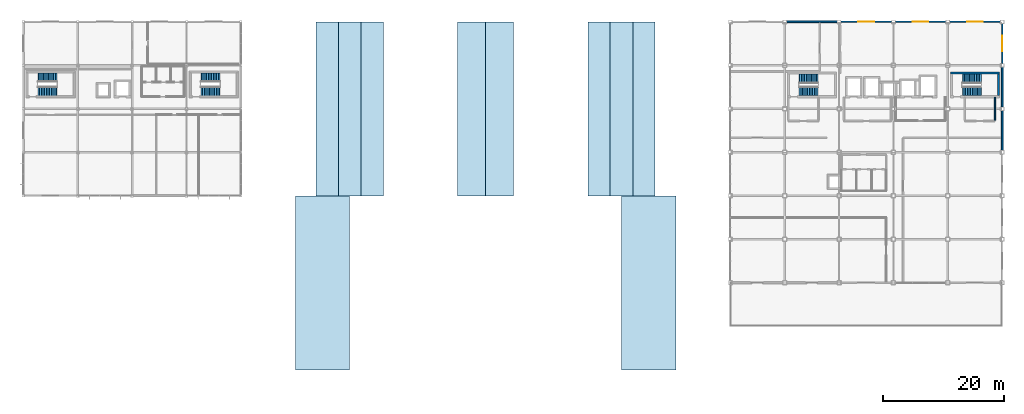
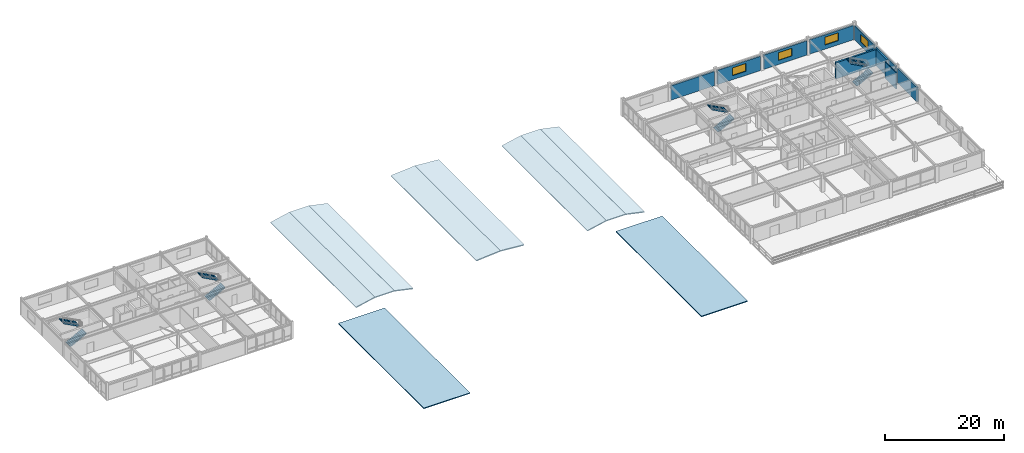
# One storey, part 30 of 34: 10 roofs, 10 walls, 8 stair flights, 4 windows, 4 openings, 4 elements without a shape of their own.
"""IFC4 building model written with IfcOpenShell, lengths in metres."""

from ifc_helpers import new_model, si_unit, direction, frame, frame_2d, origin, place, context, subcontext, project, spatial, polyline, rectangle, outline, extrude, material, layer, layer_set, type_object, element, fill, aggregate, save


model = new_model("IFC4")

# Units and contexts
model_context = context("Model", 3, precision=1e-05, world=origin(), true_north=direction((0.0, 1.0)))
body_context = subcontext(model_context, "Body", "Model", "MODEL_VIEW")
ifc_project = project(units=[si_unit("LENGTHUNIT", "METRE"), si_unit("AREAUNIT", "SQUARE_METRE"), si_unit("VOLUMEUNIT", "CUBIC_METRE"), si_unit("PLANEANGLEUNIT", "RADIAN"), si_unit("MASSUNIT", "GRAM", prefix="KILO")], contexts=[model_context])

# Site, building, storey
site_placement = place(None, origin())
site = spatial("IfcSite", under=ifc_project, at=site_placement, CompositionType="ELEMENT")
building_placement = place(site_placement, origin())
building = spatial("IfcBuilding", under=site, at=building_placement, Name="Kazanami Central Library", CompositionType="ELEMENT")
storey_placement = place(building_placement, frame((0.0, 0.0, 17.0)))
storey = spatial("IfcBuildingStorey", under=building, at=storey_placement, Name="L05", CompositionType="ELEMENT", Elevation=17.0)

# Wall
ifc_material_1 = material(Name="Concrete Fc36 (36 MPa)", Category="concrete")
ifc_layer_1 = layer(ifc_material_1, 0.199951171875, Name="Concrete Fc36 (36 MPa)")
ifc_material_2 = material(Name="Extruded Polystyrene XPS", Category="earth")
ifc_layer_2 = layer(ifc_material_2, 0.050048828125, Name="Extruded Polystyrene XPS")
ifc_material_3 = material(Name="Honed Inada Granite", Category="masonry")
ifc_layer_3 = layer(ifc_material_3, 0.030029296875, Name="Honed Inada Granite")
ifc_layer_set_1 = layer_set([ifc_layer_1, ifc_layer_2, ifc_layer_3], Name="Concrete Fc36 (36 MPa)")
wall_type_1 = type_object("IfcWallType", Name="WAL-EW-280", PredefinedType="STANDARD", material=ifc_layer_set_1)
wall_1_placement = place(storey_placement, frame((134.699951171875, 93.60009765625, 0.0), z_axis=(0.0, 0.0, 1.0), x_axis=(-1.0, 0.0, 0.0)))
element("IfcWall", 1, at=wall_1_placement, inside=storey, type_object=wall_type_1, Name="Exterior Facade Wall EW-280 L05 N-O-14", PredefinedType="STANDARD", context=body_context, shape_type="SweptSolid", body=[
    extrude(rectangle(XDim=8.39990234375, YDim=0.280029296875, at=frame_2d((4.199951171875, 0.0))), origin(), (0.0, 0.0, 1.0), 2.949951171875),
])

# Wall, opening, window
wall_2_placement = place(storey_placement, frame((143.699951171875, 93.60009765625, 0.0), z_axis=(0.0, 0.0, 1.0), x_axis=(-1.0, 0.0, 0.0)))
wall_2 = element("IfcWall", 2, at=wall_2_placement, inside=storey, type_object=wall_type_1, Name="Exterior Facade Wall EW-280 L05 N-O-15", PredefinedType="STANDARD", context=body_context, shape_type="SweptSolid", body=[
    extrude(rectangle(XDim=8.39990234375, YDim=0.280029296875, at=frame_2d((4.199951171875, 0.0))), origin(), (0.0, 0.0, 1.0), 2.949951171875),
])
opening_1_placement = place(wall_2_placement, frame((2.89990234375, 0.0, 0.85009765625)))
opening_1 = element("IfcOpeningElement", 3, at=opening_1_placement, cuts=wall_2, Name="Opening WN-13", PredefinedType="OPENING", context=body_context, shape_type="SweptSolid", body=[
    extrude(rectangle(XDim=2.60009765625, YDim=1.60009765625, at=frame_2d((1.300048828125, 0.800048828125))), frame((0.0, 0.15185546875, 0.0), z_axis=(0.0, -1.0, 0.0), x_axis=(1.0, 0.0, 0.0)), (0.0, 0.0, 1.0), 0.303955078125),
])
ifc_material_4 = material(Name="Low-E Insulated Triple Glass", Category="glass")
window_type = type_object("IfcWindowType", Name="WIN-WN-13", PartitioningType="DOUBLE_PANEL_VERTICAL", PredefinedType="WINDOW", material=ifc_material_4)
window_1_placement = place(opening_1_placement, origin())
window_1 = element("IfcWindow", 4, at=window_1_placement, inside=storey, type_object=window_type, Name="Facade Window WN-13 L05 N-O-15", OverallHeight=1.60009765625, OverallWidth=2.60009765625, PartitioningType="DOUBLE_PANEL_VERTICAL", PredefinedType="WINDOW", context=body_context, shape_type="SweptSolid", body=[
    extrude(rectangle(XDim=2.60009765625, YDim=1.60009765625, at=frame_2d((1.300048828125, 0.800048828125))), frame((0.0, 0.030029296875, 0.0), z_axis=(0.0, -1.0, 0.0), x_axis=(1.0, 0.0, 0.0)), (0.0, 0.0, 1.0), 0.06005859375),
])
fill(opening_1, window_1)

wall_3_placement = place(storey_placement, frame((152.699951171875, 93.60009765625, 0.0), z_axis=(0.0, 0.0, 1.0), x_axis=(-1.0, 0.0, 0.0)))
wall_3 = element("IfcWall", 5, at=wall_3_placement, inside=storey, type_object=wall_type_1, Name="Exterior Facade Wall EW-280 L05 N-O-16", PredefinedType="STANDARD", context=body_context, shape_type="SweptSolid", body=[
    extrude(rectangle(XDim=8.39990234375, YDim=0.280029296875, at=frame_2d((4.199951171875, 0.0))), origin(), (0.0, 0.0, 1.0), 2.949951171875),
])
opening_2_placement = place(wall_3_placement, frame((2.89990234375, 0.0, 0.85009765625)))
opening_2 = element("IfcOpeningElement", 6, at=opening_2_placement, cuts=wall_3, Name="Opening WN-13", PredefinedType="OPENING", context=body_context, shape_type="SweptSolid", body=[
    extrude(rectangle(XDim=2.60009765625, YDim=1.60009765625, at=frame_2d((1.300048828125, 0.800048828125))), frame((0.0, 0.15185546875, 0.0), z_axis=(0.0, -1.0, 0.0), x_axis=(1.0, 0.0, 0.0)), (0.0, 0.0, 1.0), 0.303955078125),
])
window_2_placement = place(opening_2_placement, origin())
window_2 = element("IfcWindow", 7, at=window_2_placement, inside=storey, type_object=window_type, Name="Facade Window WN-13 L05 N-O-16", OverallHeight=1.60009765625, OverallWidth=2.60009765625, PartitioningType="DOUBLE_PANEL_VERTICAL", PredefinedType="WINDOW", context=body_context, shape_type="SweptSolid", body=[
    extrude(rectangle(XDim=2.60009765625, YDim=1.60009765625, at=frame_2d((1.300048828125, 0.800048828125))), frame((0.0, 0.030029296875, 0.0), z_axis=(0.0, -1.0, 0.0), x_axis=(1.0, 0.0, 0.0)), (0.0, 0.0, 1.0), 0.06005859375),
])
fill(opening_2, window_2)

wall_4_placement = place(storey_placement, frame((161.699951171875, 93.60009765625, 0.0), z_axis=(0.0, 0.0, 1.0), x_axis=(-1.0, 0.0, 0.0)))
wall_4 = element("IfcWall", 8, at=wall_4_placement, inside=storey, type_object=wall_type_1, Name="Exterior Facade Wall EW-280 L05 N-O-17", PredefinedType="STANDARD", context=body_context, shape_type="SweptSolid", body=[
    extrude(rectangle(XDim=8.39990234375, YDim=0.280029296875, at=frame_2d((4.199951171875, 0.0))), origin(), (0.0, 0.0, 1.0), 2.949951171875),
])
opening_3_placement = place(wall_4_placement, frame((2.89990234375, 0.0, 0.85009765625)))
opening_3 = element("IfcOpeningElement", 9, at=opening_3_placement, cuts=wall_4, Name="Opening WN-13", PredefinedType="OPENING", context=body_context, shape_type="SweptSolid", body=[
    extrude(rectangle(XDim=2.60009765625, YDim=1.60009765625, at=frame_2d((1.300048828125, 0.800048828125))), frame((0.0, 0.15185546875, 0.0), z_axis=(0.0, -1.0, 0.0), x_axis=(1.0, 0.0, 0.0)), (0.0, 0.0, 1.0), 0.303955078125),
])
window_3_placement = place(opening_3_placement, origin())
window_3 = element("IfcWindow", 10, at=window_3_placement, inside=storey, type_object=window_type, Name="Facade Window WN-13 L05 N-O-17", OverallHeight=1.60009765625, OverallWidth=2.60009765625, PartitioningType="DOUBLE_PANEL_VERTICAL", PredefinedType="WINDOW", context=body_context, shape_type="SweptSolid", body=[
    extrude(rectangle(XDim=2.60009765625, YDim=1.60009765625, at=frame_2d((1.300048828125, 0.800048828125))), frame((0.0, 0.030029296875, 0.0), z_axis=(0.0, -1.0, 0.0), x_axis=(1.0, 0.0, 0.0)), (0.0, 0.0, 1.0), 0.06005859375),
])
fill(opening_3, window_3)

# Walls
wall_5_placement = place(storey_placement, frame((162.0, 78.89990234375, 0.0), z_axis=(0.0, 0.0, 1.0), x_axis=(0.0, -1.0, 0.0)))
element("IfcWall", 11, at=wall_5_placement, inside=storey, type_object=wall_type_1, Name="Exterior Facade Wall EW-280 L05 E-19-10", PredefinedType="STANDARD", context=body_context, shape_type="SweptSolid", body=[
    extrude(rectangle(XDim=6.599853515625, YDim=0.280029296875, at=frame_2d((3.2998046875, 0.0))), origin(), (0.0, 0.0, 1.0), 2.93994140625),
])
wall_6_placement = place(storey_placement, frame((162.0, 86.10009765625, 0.0), z_axis=(0.0, 0.0, 1.0), x_axis=(0.0, -1.0, 0.0)))
element("IfcWall", 12, at=wall_6_placement, inside=storey, type_object=wall_type_1, Name="Exterior Facade Wall EW-280 L05 E-19-11", PredefinedType="STANDARD", context=body_context, shape_type="SweptSolid", body=[
    extrude(rectangle(XDim=6.60009765625, YDim=0.280029296875, at=frame_2d((3.300048828125, 0.0))), origin(), (0.0, 0.0, 1.0), 2.93994140625),
])

# Wall, opening, window
wall_7_placement = place(storey_placement, frame((162.0, 93.300048828125, 0.0), z_axis=(0.0, 0.0, 1.0), x_axis=(0.0, -1.0, 0.0)))
wall_7 = element("IfcWall", 13, at=wall_7_placement, inside=storey, type_object=wall_type_1, Name="Exterior Facade Wall EW-280 L05 E-19-12", PredefinedType="STANDARD", context=body_context, shape_type="SweptSolid", body=[
    extrude(rectangle(XDim=6.60009765625, YDim=0.280029296875, at=frame_2d((3.300048828125, 0.0))), origin(), (0.0, 0.0, 1.0), 2.93994140625),
])
opening_4_placement = place(wall_7_placement, frame((2.0, 0.0, 0.85009765625)))
opening_4 = element("IfcOpeningElement", 14, at=opening_4_placement, cuts=wall_7, Name="Opening WN-13", PredefinedType="OPENING", context=body_context, shape_type="SweptSolid", body=[
    extrude(rectangle(XDim=2.60009765625, YDim=1.60009765625, at=frame_2d((1.300048828125, 0.800048828125))), frame((0.0, 0.15185546875, 0.0), z_axis=(0.0, -1.0, 0.0), x_axis=(1.0, 0.0, 0.0)), (0.0, 0.0, 1.0), 0.303955078125),
])
window_4_placement = place(opening_4_placement, origin())
window_4 = element("IfcWindow", 15, at=window_4_placement, inside=storey, type_object=window_type, Name="Facade Window WN-13 L05 E-19-12", OverallHeight=1.60009765625, OverallWidth=2.60009765625, PartitioningType="DOUBLE_PANEL_VERTICAL", PredefinedType="WINDOW", context=body_context, shape_type="SweptSolid", body=[
    extrude(rectangle(XDim=2.60009765625, YDim=1.60009765625, at=frame_2d((1.300048828125, 0.800048828125))), frame((0.0, 0.030029296875, 0.0), z_axis=(0.0, -1.0, 0.0), x_axis=(1.0, 0.0, 0.0)), (0.0, 0.0, 1.0), 0.06005859375),
])
fill(opening_4, window_4)

# Walls
ifc_material_5 = material(Name="Fire-Resistant Gypsum Board GB-F", Category="gypsum")
ifc_layer_4 = layer(ifc_material_5, 0.199951171875, Name="Fire-Resistant Gypsum Board GB-F")
ifc_layer_set_2 = layer_set([ifc_layer_4], Name="Fire-Resistant Gypsum Board GB-F")
wall_type_2 = type_object("IfcWallType", Name="WAL-FW-200", PredefinedType="PARTITIONING", material=ifc_layer_set_2)
wall_8_placement = place(storey_placement, frame((160.800048828125, 77.2900390625, 0.0), z_axis=(0.0, 0.0, 1.0), x_axis=(0.0, 1.0, 0.0)))
element("IfcWall", 16, at=wall_8_placement, inside=storey, type_object=wall_type_2, Name="Interior Partition FW-200 L05 VEST-ST-02 (East)", PredefinedType="PARTITIONING", context=body_context, shape_type="SweptSolid", body=[
    extrude(rectangle(XDim=3.820068359375, YDim=0.199951171875, at=frame_2d((1.91015625, 0.0))), origin(), (0.0, 0.0, 1.0), 3.340087890625),
])
ifc_layer_5 = layer(ifc_material_1, 0.35009765625, Name="Concrete Fc36 (36 MPa)")
ifc_layer_set_3 = layer_set([ifc_layer_5], Name="Concrete Fc36 (36 MPa)")
wall_type_3 = type_object("IfcWallType", Name="WAL-SW-350", PredefinedType="SHEAR", material=ifc_layer_set_3)
wall_9_placement = place(storey_placement, frame((153.425048828125, 85.10009765625, 0.0), z_axis=(0.0, 0.0, 1.0), x_axis=(1.0, 0.0, 0.0)))
element("IfcWall", 17, at=wall_9_placement, inside=storey, type_object=wall_type_3, Name="Stair Core Wall ST-02 North L05", PredefinedType="SHEAR", context=body_context, shape_type="SweptSolid", body=[
    extrude(rectangle(XDim=8.14990234375, YDim=0.35009765625, at=frame_2d((4.074951171875, 0.0))), origin(), (0.0, 0.0, 1.0), 3.340087890625),
])
wall_10_placement = place(storey_placement, frame((161.39990234375, 81.375, 0.0), z_axis=(0.0, 0.0, 1.0), x_axis=(0.0, 1.0, 0.0)))
element("IfcWall", 18, at=wall_10_placement, inside=storey, type_object=wall_type_3, Name="Stair Core Wall ST-02 East L05", PredefinedType="SHEAR", context=body_context, shape_type="SweptSolid", body=[
    extrude(rectangle(XDim=3.550048828125, YDim=0.35009765625, at=frame_2d((1.77490234375, 0.0))), origin(), (0.0, 0.0, 1.0), 3.340087890625),
])

# Stair, stair flights
stair_type = type_object("IfcStairType", Name="STR-T36", PredefinedType="HALF_TURN_STAIR", material=ifc_material_1)
stair_1_placement = place(storey_placement, origin())
stair_1 = element("IfcStair", 19, at=stair_1_placement, inside=storey, type_object=stair_type, Name="Enclosed Escape Stair ST-01 (L05)", PredefinedType="HALF_TURN_STAIR")
stair_flight_type = type_object("IfcStairFlightType", Name="FLT-STR-T36", PredefinedType="STRAIGHT", material=ifc_material_1)
stair_flight_1_placement = place(storey_placement, frame((128.39404296875, 82.125, 0.0), z_axis=(0.0, 0.0, 1.0), x_axis=(1.0, 0.0, 0.0)))
stair_flight_1 = element("IfcStairFlight", 20, at=stair_flight_1_placement, type_object=stair_flight_type, Name="ST-01 flight 1", NumberOfRisers=12, NumberOfTreads=11, PredefinedType="STRAIGHT", RiserHeight=0.15, TreadLength=0.28, context=body_context, shape_type="SweptSolid", body=[
    extrude(outline(polyline([(0.0, 0.0), (0.0, 0.14990234375), (0.280029296875, 0.14990234375), (0.280029296875, 0.300048828125), (0.56005859375, 0.300048828125), (0.56005859375, 0.449951171875), (0.840087890625, 0.449951171875), (0.840087890625, 0.60009765625), (1.1201171875, 0.60009765625), (1.1201171875, 0.75), (1.39990234375, 0.75), (1.39990234375, 0.89990234375), (1.679931640625, 0.89990234375), (1.679931640625, 1.050048828125), (1.9599609375, 1.050048828125), (1.9599609375, 1.199951171875), (2.239990234375, 1.199951171875), (2.239990234375, 1.35009765625), (2.52001953125, 1.35009765625), (2.52001953125, 1.5), (2.800048828125, 1.5), (2.800048828125, 1.64990234375), (3.080078125, 1.64990234375), (3.080078125, 1.800048828125), (3.16015625, 1.800048828125), (3.16015625, 1.6201171875), (3.080078125, 1.44580078125), (0.381103515625, 0.0), (0.0, 0.0)])), frame((0.0, 0.75, 0.0), z_axis=(0.0, -1.0, 0.0), x_axis=(1.0, 0.0, 0.0)), (0.0, 0.0, 1.0), 1.5),
])
stair_flight_2_placement = place(storey_placement, frame((131.553955078125, 84.175048828125, 1.800048828125), z_axis=(0.0, 0.0, 1.0), x_axis=(-1.0, 0.0, 0.0)))
stair_flight_2 = element("IfcStairFlight", 21, at=stair_flight_2_placement, type_object=stair_flight_type, Name="ST-01 flight 2", NumberOfRisers=12, NumberOfTreads=11, PredefinedType="STRAIGHT", RiserHeight=0.15, TreadLength=0.28, context=body_context, shape_type="SweptSolid", body=[
    extrude(outline(polyline([(0.0, 0.0), (0.0, 0.14990234375), (0.280029296875, 0.14990234375), (0.280029296875, 0.300048828125), (0.56005859375, 0.300048828125), (0.56005859375, 0.449951171875), (0.840087890625, 0.449951171875), (0.840087890625, 0.60009765625), (1.1201171875, 0.60009765625), (1.1201171875, 0.75), (1.39990234375, 0.75), (1.39990234375, 0.89990234375), (1.679931640625, 0.89990234375), (1.679931640625, 1.050048828125), (1.9599609375, 1.050048828125), (1.9599609375, 1.199951171875), (2.239990234375, 1.199951171875), (2.239990234375, 1.35009765625), (2.52001953125, 1.35009765625), (2.52001953125, 1.5), (2.800048828125, 1.5), (2.800048828125, 1.64990234375), (3.080078125, 1.64990234375), (3.080078125, 1.800048828125), (3.16015625, 1.800048828125), (3.16015625, 1.6201171875), (3.080078125, 1.44580078125), (0.381103515625, 0.0), (0.0, 0.0)])), frame((0.0, 0.75, 0.0), z_axis=(0.0, -1.0, 0.0), x_axis=(1.0, 0.0, 0.0)), (0.0, 0.0, 1.0), 1.5),
])
aggregate(stair_1, [stair_flight_1, stair_flight_2])

stair_2_placement = place(storey_placement, origin())
stair_2 = element("IfcStair", 22, at=stair_2_placement, inside=storey, type_object=stair_type, Name="Enclosed Escape Stair ST-02 (L05)", PredefinedType="HALF_TURN_STAIR")
stair_flight_3_placement = place(storey_placement, frame((155.39404296875, 82.125, 0.0), z_axis=(0.0, 0.0, 1.0), x_axis=(1.0, 0.0, 0.0)))
stair_flight_3 = element("IfcStairFlight", 23, at=stair_flight_3_placement, type_object=stair_flight_type, Name="ST-02 flight 1", NumberOfRisers=12, NumberOfTreads=11, PredefinedType="STRAIGHT", RiserHeight=0.15, TreadLength=0.28, context=body_context, shape_type="SweptSolid", body=[
    extrude(outline(polyline([(0.0, 0.0), (0.0, 0.14990234375), (0.280029296875, 0.14990234375), (0.280029296875, 0.300048828125), (0.56005859375, 0.300048828125), (0.56005859375, 0.449951171875), (0.840087890625, 0.449951171875), (0.840087890625, 0.60009765625), (1.1201171875, 0.60009765625), (1.1201171875, 0.75), (1.39990234375, 0.75), (1.39990234375, 0.89990234375), (1.679931640625, 0.89990234375), (1.679931640625, 1.050048828125), (1.9599609375, 1.050048828125), (1.9599609375, 1.199951171875), (2.239990234375, 1.199951171875), (2.239990234375, 1.35009765625), (2.52001953125, 1.35009765625), (2.52001953125, 1.5), (2.800048828125, 1.5), (2.800048828125, 1.64990234375), (3.080078125, 1.64990234375), (3.080078125, 1.800048828125), (3.16015625, 1.800048828125), (3.16015625, 1.6201171875), (3.080078125, 1.44580078125), (0.381103515625, 0.0), (0.0, 0.0)])), frame((0.0, 0.75, 0.0), z_axis=(0.0, -1.0, 0.0), x_axis=(1.0, 0.0, 0.0)), (0.0, 0.0, 1.0), 1.5),
])
stair_flight_4_placement = place(storey_placement, frame((158.553955078125, 84.175048828125, 1.800048828125), z_axis=(0.0, 0.0, 1.0), x_axis=(-1.0, 0.0, 0.0)))
stair_flight_4 = element("IfcStairFlight", 24, at=stair_flight_4_placement, type_object=stair_flight_type, Name="ST-02 flight 2", NumberOfRisers=12, NumberOfTreads=11, PredefinedType="STRAIGHT", RiserHeight=0.15, TreadLength=0.28, context=body_context, shape_type="SweptSolid", body=[
    extrude(outline(polyline([(0.0, 0.0), (0.0, 0.14990234375), (0.280029296875, 0.14990234375), (0.280029296875, 0.300048828125), (0.56005859375, 0.300048828125), (0.56005859375, 0.449951171875), (0.840087890625, 0.449951171875), (0.840087890625, 0.60009765625), (1.1201171875, 0.60009765625), (1.1201171875, 0.75), (1.39990234375, 0.75), (1.39990234375, 0.89990234375), (1.679931640625, 0.89990234375), (1.679931640625, 1.050048828125), (1.9599609375, 1.050048828125), (1.9599609375, 1.199951171875), (2.239990234375, 1.199951171875), (2.239990234375, 1.35009765625), (2.52001953125, 1.35009765625), (2.52001953125, 1.5), (2.800048828125, 1.5), (2.800048828125, 1.64990234375), (3.080078125, 1.64990234375), (3.080078125, 1.800048828125), (3.16015625, 1.800048828125), (3.16015625, 1.6201171875), (3.080078125, 1.44580078125), (0.381103515625, 0.0), (0.0, 0.0)])), frame((0.0, 0.75, 0.0), z_axis=(0.0, -1.0, 0.0), x_axis=(1.0, 0.0, 0.0)), (0.0, 0.0, 1.0), 1.5),
])
aggregate(stair_2, [stair_flight_3, stair_flight_4])

stair_3_placement = place(storey_placement, origin())
stair_3 = element("IfcStair", 25, at=stair_3_placement, inside=storey, type_object=stair_type, Name="Enclosed Escape Stair ST-05 (L05)", PredefinedType="HALF_TURN_STAIR")
stair_flight_5_placement = place(storey_placement, frame((2.39404296875, 82.10009765625, 0.0), z_axis=(0.0, 0.0, 1.0), x_axis=(1.0, 0.0, 0.0)))
stair_flight_5 = element("IfcStairFlight", 26, at=stair_flight_5_placement, type_object=stair_flight_type, Name="ST-05 flight 1", NumberOfRisers=12, NumberOfTreads=11, PredefinedType="STRAIGHT", RiserHeight=0.15, TreadLength=0.28, context=body_context, shape_type="SweptSolid", body=[
    extrude(outline(polyline([(0.0, 0.0), (0.0, 0.14990234375), (0.280029296875, 0.14990234375), (0.280029296875, 0.300048828125), (0.56005859375, 0.300048828125), (0.56005859375, 0.449951171875), (0.840087890625, 0.449951171875), (0.840087890625, 0.60009765625), (1.1201171875, 0.60009765625), (1.1201171875, 0.75), (1.39990234375, 0.75), (1.39990234375, 0.89990234375), (1.679931640625, 0.89990234375), (1.679931640625, 1.050048828125), (1.9599609375, 1.050048828125), (1.9599609375, 1.199951171875), (2.239990234375, 1.199951171875), (2.239990234375, 1.35009765625), (2.52001953125, 1.35009765625), (2.52001953125, 1.5), (2.800048828125, 1.5), (2.800048828125, 1.64990234375), (3.080078125, 1.64990234375), (3.080078125, 1.800048828125), (3.16015625, 1.800048828125), (3.16015625, 1.6201171875), (3.080078125, 1.44580078125), (0.381103515625, 0.0), (0.0, 0.0)])), frame((0.0, 0.75, 0.0), z_axis=(0.0, -1.0, 0.0), x_axis=(1.0, 0.0, 0.0)), (0.0, 0.0, 1.0), 1.5),
])
stair_flight_6_placement = place(storey_placement, frame((5.553955078125, 84.39990234375, 1.800048828125), z_axis=(0.0, 0.0, 1.0), x_axis=(-1.0, 0.0, 0.0)))
stair_flight_6 = element("IfcStairFlight", 27, at=stair_flight_6_placement, type_object=stair_flight_type, Name="ST-05 flight 2", NumberOfRisers=12, NumberOfTreads=11, PredefinedType="STRAIGHT", RiserHeight=0.15, TreadLength=0.28, context=body_context, shape_type="SweptSolid", body=[
    extrude(outline(polyline([(0.0, 0.0), (0.0, 0.14990234375), (0.280029296875, 0.14990234375), (0.280029296875, 0.300048828125), (0.56005859375, 0.300048828125), (0.56005859375, 0.449951171875), (0.840087890625, 0.449951171875), (0.840087890625, 0.60009765625), (1.1201171875, 0.60009765625), (1.1201171875, 0.75), (1.39990234375, 0.75), (1.39990234375, 0.89990234375), (1.679931640625, 0.89990234375), (1.679931640625, 1.050048828125), (1.9599609375, 1.050048828125), (1.9599609375, 1.199951171875), (2.239990234375, 1.199951171875), (2.239990234375, 1.35009765625), (2.52001953125, 1.35009765625), (2.52001953125, 1.5), (2.800048828125, 1.5), (2.800048828125, 1.64990234375), (3.080078125, 1.64990234375), (3.080078125, 1.800048828125), (3.16015625, 1.800048828125), (3.16015625, 1.6201171875), (3.080078125, 1.44580078125), (0.381103515625, 0.0), (0.0, 0.0)])), frame((0.0, 0.75, 0.0), z_axis=(0.0, -1.0, 0.0), x_axis=(1.0, 0.0, 0.0)), (0.0, 0.0, 1.0), 1.5),
])
aggregate(stair_3, [stair_flight_5, stair_flight_6])

stair_4_placement = place(storey_placement, origin())
stair_4 = element("IfcStair", 28, at=stair_4_placement, inside=storey, type_object=stair_type, Name="Enclosed Escape Stair ST-06 (L05)", PredefinedType="HALF_TURN_STAIR")
stair_flight_7_placement = place(storey_placement, frame((29.39404296875, 82.10009765625, 0.0), z_axis=(0.0, 0.0, 1.0), x_axis=(1.0, 0.0, 0.0)))
stair_flight_7 = element("IfcStairFlight", 29, at=stair_flight_7_placement, type_object=stair_flight_type, Name="ST-06 flight 1", NumberOfRisers=12, NumberOfTreads=11, PredefinedType="STRAIGHT", RiserHeight=0.15, TreadLength=0.28, context=body_context, shape_type="SweptSolid", body=[
    extrude(outline(polyline([(0.0, 0.0), (0.0, 0.14990234375), (0.280029296875, 0.14990234375), (0.280029296875, 0.300048828125), (0.56005859375, 0.300048828125), (0.56005859375, 0.449951171875), (0.840087890625, 0.449951171875), (0.840087890625, 0.60009765625), (1.1201171875, 0.60009765625), (1.1201171875, 0.75), (1.39990234375, 0.75), (1.39990234375, 0.89990234375), (1.679931640625, 0.89990234375), (1.679931640625, 1.050048828125), (1.9599609375, 1.050048828125), (1.9599609375, 1.199951171875), (2.239990234375, 1.199951171875), (2.239990234375, 1.35009765625), (2.52001953125, 1.35009765625), (2.52001953125, 1.5), (2.800048828125, 1.5), (2.800048828125, 1.64990234375), (3.080078125, 1.64990234375), (3.080078125, 1.800048828125), (3.16015625, 1.800048828125), (3.16015625, 1.6201171875), (3.080078125, 1.44580078125), (0.381103515625, 0.0), (0.0, 0.0)])), frame((0.0, 0.75, 0.0), z_axis=(0.0, -1.0, 0.0), x_axis=(1.0, 0.0, 0.0)), (0.0, 0.0, 1.0), 1.5),
])
stair_flight_8_placement = place(storey_placement, frame((32.553955078125, 84.39990234375, 1.800048828125), z_axis=(0.0, 0.0, 1.0), x_axis=(-1.0, 0.0, 0.0)))
stair_flight_8 = element("IfcStairFlight", 30, at=stair_flight_8_placement, type_object=stair_flight_type, Name="ST-06 flight 2", NumberOfRisers=12, NumberOfTreads=11, PredefinedType="STRAIGHT", RiserHeight=0.15, TreadLength=0.28, context=body_context, shape_type="SweptSolid", body=[
    extrude(outline(polyline([(0.0, 0.0), (0.0, 0.14990234375), (0.280029296875, 0.14990234375), (0.280029296875, 0.300048828125), (0.56005859375, 0.300048828125), (0.56005859375, 0.449951171875), (0.840087890625, 0.449951171875), (0.840087890625, 0.60009765625), (1.1201171875, 0.60009765625), (1.1201171875, 0.75), (1.39990234375, 0.75), (1.39990234375, 0.89990234375), (1.679931640625, 0.89990234375), (1.679931640625, 1.050048828125), (1.9599609375, 1.050048828125), (1.9599609375, 1.199951171875), (2.239990234375, 1.199951171875), (2.239990234375, 1.35009765625), (2.52001953125, 1.35009765625), (2.52001953125, 1.5), (2.800048828125, 1.5), (2.800048828125, 1.64990234375), (3.080078125, 1.64990234375), (3.080078125, 1.800048828125), (3.16015625, 1.800048828125), (3.16015625, 1.6201171875), (3.080078125, 1.44580078125), (0.381103515625, 0.0), (0.0, 0.0)])), frame((0.0, 0.75, 0.0), z_axis=(0.0, -1.0, 0.0), x_axis=(1.0, 0.0, 0.0)), (0.0, 0.0, 1.0), 1.5),
])
aggregate(stair_4, [stair_flight_7, stair_flight_8])

# Roofs
ifc_material_6 = material(Name="Polymer-Modified Bitumen", Category="earth")
ifc_layer_6 = layer(ifc_material_6, 0.1650390625, Name="Polymer-Modified Bitumen")
ifc_layer_set_4 = layer_set([ifc_layer_6], Name="Polymer-Modified Bitumen")
roof_type_1 = type_object("IfcRoofType", Name="ROOF-RF-02", PredefinedType="FLAT_ROOF", material=ifc_layer_set_4)
roof_1_placement = place(storey_placement, frame((0.0, 0.0, -0.199951171875)))
element("IfcRoof", 31, at=roof_1_placement, inside=storey, type_object=roof_type_1, Name="Courtyard Gallery Flat Roof V1W", PredefinedType="FLAT_ROOF", context=body_context, shape_type="SweptSolid", body=[
    extrude(outline(polyline([(45.0, 36.0), (54.0, 36.0), (54.0, 64.800048828125), (45.0, 64.800048828125), (45.0, 36.0)])), origin(), (0.0, 0.0, 1.0), 0.1650390625),
])
roof_2_placement = place(storey_placement, frame((0.0, 0.0, -0.199951171875)))
element("IfcRoof", 32, at=roof_2_placement, inside=storey, type_object=roof_type_1, Name="Courtyard Gallery Flat Roof V1E", PredefinedType="FLAT_ROOF", context=body_context, shape_type="SweptSolid", body=[
    extrude(outline(polyline([(99.0, 36.0), (108.0, 36.0), (108.0, 64.800048828125), (99.0, 64.800048828125), (99.0, 36.0)])), origin(), (0.0, 0.0, 1.0), 0.1650390625),
])
ifc_material_7 = material(Name="Standing-Seam Titanium Zinc")
ifc_layer_7 = layer(ifc_material_7, 0.199951171875, Name="Standing-Seam Titanium Zinc")
ifc_layer_set_5 = layer_set([ifc_layer_7], Name="Standing-Seam Titanium Zinc")
roof_type_2 = type_object("IfcRoofType", Name="ROOF-RF-BV1", PredefinedType="BARREL_ROOF", material=ifc_layer_set_5)
for number, where, z_axis, x_axis, name in (
    (33, (71.847412109375, 64.800048828125, 3.491455078125), (-0.078676491656, 0.0, 0.996900200452), (0.996900200452, 0.0, 0.078676491656), "Composite Steel Barrel Vault Roof Shell VAULT-MAIN Facet 3"),
    (34, (76.5, 64.800048828125, 3.858642578125), (0.078676491656, 0.0, 0.996900200452), (0.996900200452, 0.0, -0.078676491656), "Composite Steel Barrel Vault Roof Shell VAULT-MAIN Facet 4"),
):
    element("IfcRoof", number, at=place(storey_placement, frame(where, z_axis=z_axis, x_axis=x_axis)), inside=storey, type_object=roof_type_2, Name=name, PredefinedType="BARREL_ROOF", context=body_context, shape_type="SweptSolid", body=[
        extrude(outline(polyline([(0.0, 0.0), (4.667054825063301, 0.0), (4.667054825063301, 28.800048828125), (0.0, 28.800048828125), (0.0, 0.0)])), origin(), (0.0, 0.0, -1.0), 0.199951171875),
    ])
ifc_layer_8 = layer(ifc_material_7, 0.179931640625, Name="Standing-Seam Titanium Zinc")
ifc_layer_set_6 = layer_set([ifc_layer_8], Name="Standing-Seam Titanium Zinc")
roof_type_3 = type_object("IfcRoofType", Name="ROOF-RF-BV2", PredefinedType="BARREL_ROOF", material=ifc_layer_set_6)
roof_3_placement = place(storey_placement, frame((48.4326171875, 64.800048828125, 2.05859375), z_axis=(-0.211081859009, 0.0, 0.97746838762), x_axis=(0.97746838762, 0.0, 0.211081859009)))
element("IfcRoof", 35, at=roof_3_placement, inside=storey, type_object=roof_type_3, Name="Composite Steel Barrel Vault Roof Shell VAULT-WEST Facet 2", PredefinedType="BARREL_ROOF", context=body_context, shape_type="SweptSolid", body=[
    extrude(outline(polyline([(0.0, 0.0), (3.7682544581740514, 0.0), (3.7682544581740514, 28.800048828125), (0.0, 28.800048828125), (0.0, 0.0)])), origin(), (0.0, 0.0, -1.0), 0.179931640625),
])
roof_4_placement = place(storey_placement, frame((52.115966796875, 64.800048828125, 2.849853515625), z_axis=(0.0, 0.0, 1.0), x_axis=(1.0, 0.0, 0.0)))
element("IfcRoof", 36, at=roof_4_placement, inside=storey, type_object=roof_type_3, Name="Composite Steel Barrel Vault Roof Shell VAULT-WEST Facet 3", PredefinedType="BARREL_ROOF", context=body_context, shape_type="SweptSolid", body=[
    extrude(outline(polyline([(0.0, 0.0), (3.76806640625, 0.0), (3.76806640625, 28.800048828125), (0.0, 28.800048828125), (0.0, 0.0)])), origin(), (0.0, 0.0, -1.0), 0.179931640625),
])
for number, where, z_axis, x_axis, name in (
    (37, (55.884033203125, 64.800048828125, 2.85400390625), (0.211081859009, 0.0, 0.97746838762), (0.97746838762, 0.0, -0.211081859009), "Composite Steel Barrel Vault Roof Shell VAULT-WEST Facet 4"),
    (38, (93.4326171875, 64.800048828125, 2.05859375), (-0.211081859009, 0.0, 0.97746838762), (0.97746838762, 0.0, 0.211081859009), "Composite Steel Barrel Vault Roof Shell VAULT-EAST Facet 2"),
):
    element("IfcRoof", number, at=place(storey_placement, frame(where, z_axis=z_axis, x_axis=x_axis)), inside=storey, type_object=roof_type_3, Name=name, PredefinedType="BARREL_ROOF", context=body_context, shape_type="SweptSolid", body=[
        extrude(outline(polyline([(0.0, 0.0), (3.7682544581740514, 0.0), (3.7682544581740514, 28.800048828125), (0.0, 28.800048828125), (0.0, 0.0)])), origin(), (0.0, 0.0, -1.0), 0.179931640625),
    ])
roof_5_placement = place(storey_placement, frame((97.115966796875, 64.800048828125, 2.849853515625), z_axis=(0.0, 0.0, 1.0), x_axis=(1.0, 0.0, 0.0)))
element("IfcRoof", 39, at=roof_5_placement, inside=storey, type_object=roof_type_3, Name="Composite Steel Barrel Vault Roof Shell VAULT-EAST Facet 3", PredefinedType="BARREL_ROOF", context=body_context, shape_type="SweptSolid", body=[
    extrude(outline(polyline([(0.0, 0.0), (3.76806640625, 0.0), (3.76806640625, 28.800048828125), (0.0, 28.800048828125), (0.0, 0.0)])), origin(), (0.0, 0.0, -1.0), 0.179931640625),
])
roof_6_placement = place(storey_placement, frame((100.884033203125, 64.800048828125, 2.85400390625), z_axis=(0.211081859009, 0.0, 0.97746838762), x_axis=(0.97746838762, 0.0, -0.211081859009)))
element("IfcRoof", 40, at=roof_6_placement, inside=storey, type_object=roof_type_3, Name="Composite Steel Barrel Vault Roof Shell VAULT-EAST Facet 4", PredefinedType="BARREL_ROOF", context=body_context, shape_type="SweptSolid", body=[
    extrude(outline(polyline([(0.0, 0.0), (3.7682544581740514, 0.0), (3.7682544581740514, 28.800048828125), (0.0, 28.800048828125), (0.0, 0.0)])), origin(), (0.0, 0.0, -1.0), 0.179931640625),
])

save(model, "model.ifc")
